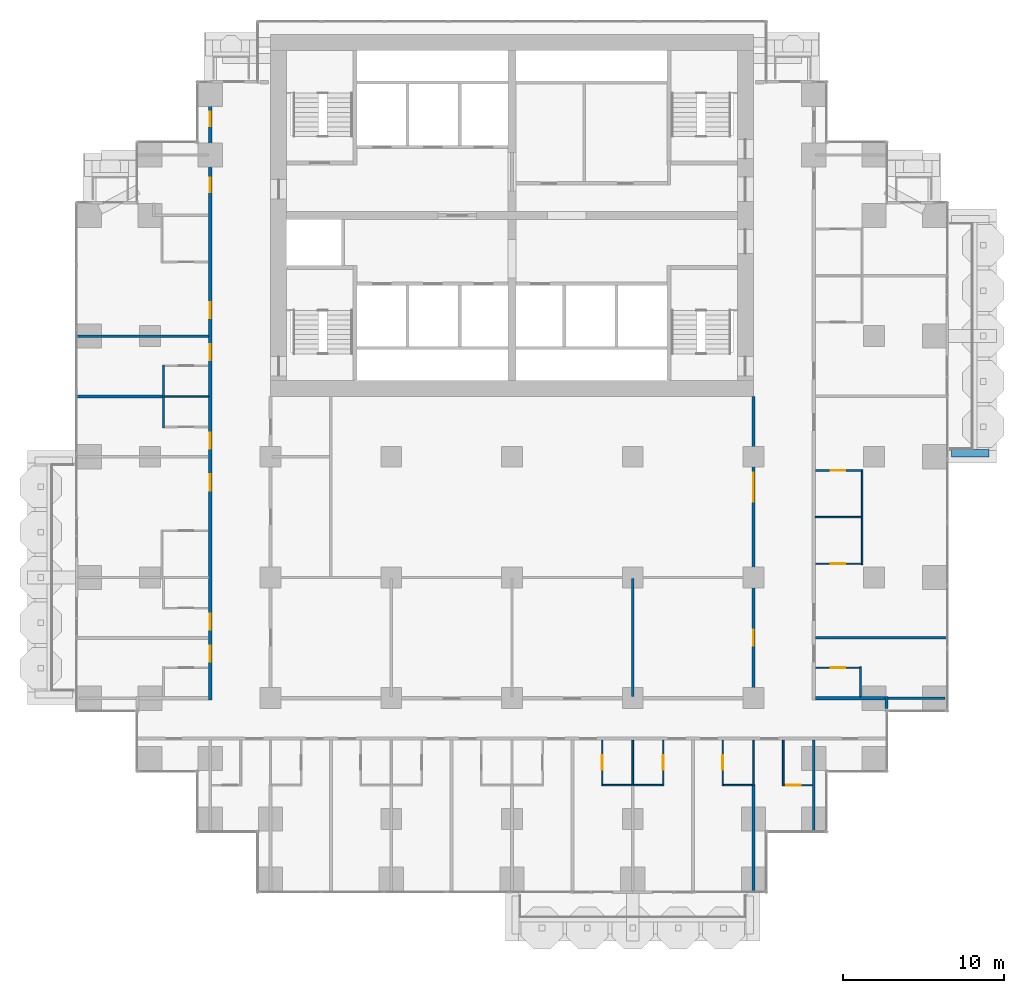
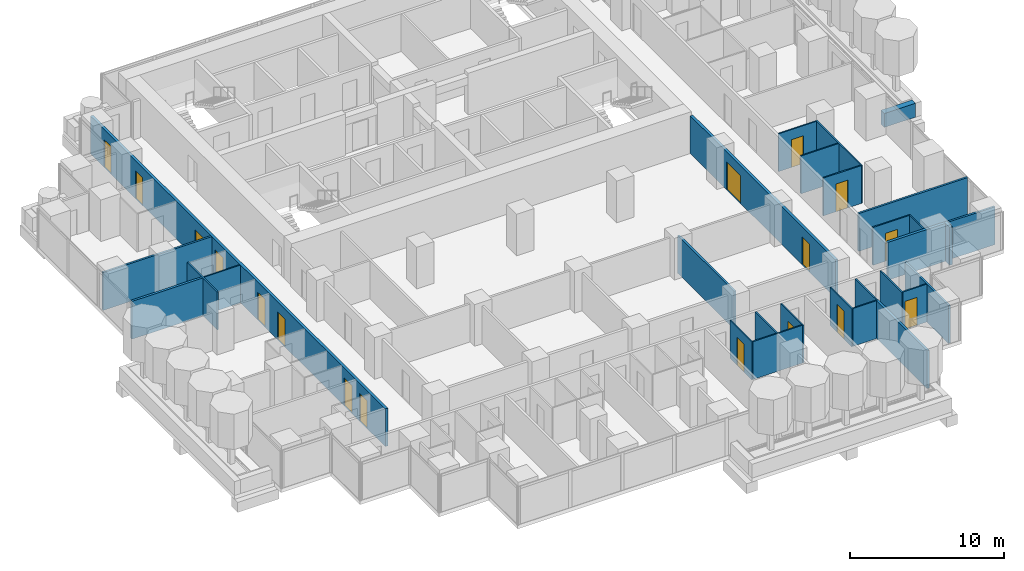
# One storey, part 13 of 19: 29 walls, 17 doors, 17 openings.
"""IFC4 building model written with IfcOpenShell, lengths in metres."""

from ifc_helpers import new_model, si_unit, direction, frame, frame_2d, origin, place, context, subcontext, project, spatial, rectangle, extrude, material, layer, layer_set, type_object, element, fill, save


model = new_model("IFC4")

# Units and contexts
model_context = context("Model", 3, precision=1e-05, world=origin(), true_north=direction((0.0, 1.0)))
body_context = subcontext(model_context, "Body", "Model", "MODEL_VIEW")
ifc_project = project(units=[si_unit("LENGTHUNIT", "METRE"), si_unit("AREAUNIT", "SQUARE_METRE"), si_unit("VOLUMEUNIT", "CUBIC_METRE"), si_unit("PLANEANGLEUNIT", "RADIAN"), si_unit("MASSUNIT", "GRAM", prefix="KILO")], contexts=[model_context])

# Site, building, storey
site_placement = place(None, origin())
site = spatial("IfcSite", under=ifc_project, at=site_placement, CompositionType="ELEMENT")
building_placement = place(site_placement, origin())
building = spatial("IfcBuilding", under=site, at=building_placement, Name="Pilkhan Gate Tower", CompositionType="ELEMENT")
storey_placement = place(building_placement, frame((0.0, 0.0, 65.89990234375)))
storey = spatial("IfcBuildingStorey", under=building, at=storey_placement, Name="L14", CompositionType="ELEMENT", Elevation=65.89990234375)

# Walls
ifc_material_1 = material(Name="Dense blockwork", Category="masonry")
ifc_layer_1 = layer(ifc_material_1, 0.175048828125)
ifc_layer_set_1 = layer_set([ifc_layer_1], Name="Acoustic party wall PW175")
wall_type_1 = type_object("IfcWallType", Name="Acoustic party wall PW175", PredefinedType="PARTITIONING", material=ifc_layer_set_1)
wall_1_placement = place(storey_placement, frame((47.985107421875, 71.25, 0.0), z_axis=(0.0, 0.0, 1.0), x_axis=(1.0, 0.0, 0.0)))
element("IfcWall", 1, at=wall_1_placement, inside=storey, type_object=wall_type_1, Name="Partition L14", PredefinedType="PARTITIONING", context=body_context, shape_type="SweptSolid", body=[
    extrude(rectangle(XDim=5.31494140625, YDim=0.175048828125, at=frame_2d((2.657470703125, 0.0))), origin(), (0.0, 0.0, 1.0), 3.0),
])
wall_2_placement = place(storey_placement, frame((90.0, 40.485107421875, 0.0), z_axis=(0.0, 0.0, 1.0), x_axis=(0.0, 1.0, 0.0)))
element("IfcWall", 2, at=wall_2_placement, inside=storey, type_object=wall_type_1, Name="Partition L14", PredefinedType="PARTITIONING", context=body_context, shape_type="SweptSolid", body=[
    extrude(rectangle(XDim=6.664794921875, YDim=0.175048828125, at=frame_2d((3.33251953125, 0.0))), origin(), (0.0, 0.0, 1.0), 3.0),
])
ifc_material_2 = material(Name="Board-marked Concrete C40/50", Category="concrete")
ifc_layer_2 = layer(ifc_material_2, 0.449951171875)
ifc_layer_set_2 = layer_set([ifc_layer_2], Name="Balcony planter lip BL450")
wall_type_2 = type_object("IfcWallType", Name="Balcony planter lip BL450", PredefinedType="USERDEFINED", material=ifc_layer_set_2)
wall_3_placement = place(storey_placement, frame((102.300048828125, 67.72509765625, 0.0), z_axis=(0.0, 0.0, 1.0), x_axis=(1.0, 0.0, 0.0)))
element("IfcWall", 3, at=wall_3_placement, inside=storey, type_object=wall_type_2, Name="Balcony planter L14 E", ObjectType="BALCONY PLANTER", PredefinedType="USERDEFINED", context=body_context, shape_type="SweptSolid", body=[
    extrude(rectangle(XDim=2.349853515625, YDim=0.449951171875, at=frame_2d((1.1748046875, 0.0))), origin(), (0.0, 0.0, 1.0), 1.10009765625),
])
ifc_layer_3 = layer(ifc_material_1, 0.199951171875)
ifc_layer_set_3 = layer_set([ifc_layer_3], Name="Corridor wall FW200")
wall_type_3 = type_object("IfcWallType", Name="Corridor wall FW200", PredefinedType="PARTITIONING", material=ifc_layer_set_3)
wall_4_placement = place(storey_placement, frame((93.85009765625, 52.5, 0.0), z_axis=(0.0, 0.0, 1.0), x_axis=(1.0, 0.0, 0.0)))
element("IfcWall", 4, at=wall_4_placement, inside=storey, type_object=wall_type_3, Name="Partition L14", PredefinedType="PARTITIONING", context=body_context, shape_type="SweptSolid", body=[
    extrude(rectangle(XDim=4.31494140625, YDim=0.199951171875, at=frame_2d((2.157470703125, 0.0))), origin(), (0.0, 0.0, 1.0), 3.0),
])

# Wall, openings, doors
wall_5_placement = place(storey_placement, frame((56.25, 52.39990234375, 0.0), z_axis=(0.0, 0.0, 1.0), x_axis=(0.0, 1.0, 0.0)))
wall_5 = element("IfcWall", 5, at=wall_5_placement, inside=storey, type_object=wall_type_3, Name="Partition L14", PredefinedType="PARTITIONING", context=body_context, shape_type="SweptSolid", body=[
    extrude(rectangle(XDim=38.31005859375, YDim=0.199951171875, at=frame_2d((19.155029296875, 0.0))), origin(), (0.0, 0.0, 1.0), 3.0),
])
opening_1_placement = place(wall_5_placement, frame((2.35009765625, 0.0, 0.0)))
opening_1 = element("IfcOpeningElement", 6, at=opening_1_placement, cuts=wall_5, Name="Opening L14-26", PredefinedType="OPENING", context=body_context, shape_type="SweptSolid", body=[
    extrude(rectangle(XDim=1.0, YDim=2.199951171875, at=frame_2d((0.5, 1.10009765625))), frame((0.0, 0.10986328125, 0.0), z_axis=(0.0, -1.0, 0.0), x_axis=(1.0, 0.0, 0.0)), (0.0, 0.0, 1.0), 0.219970703125),
])
opening_2_placement = place(wall_5_placement, frame((4.35009765625, 0.0, 0.0)))
opening_2 = element("IfcOpeningElement", 7, at=opening_2_placement, cuts=wall_5, Name="Opening L14-28", PredefinedType="OPENING", context=body_context, shape_type="SweptSolid", body=[
    extrude(rectangle(XDim=1.0, YDim=2.199951171875, at=frame_2d((0.5, 1.10009765625))), frame((0.0, 0.10986328125, 0.0), z_axis=(0.0, -1.0, 0.0), x_axis=(1.0, 0.0, 0.0)), (0.0, 0.0, 1.0), 0.219970703125),
])
opening_3_placement = place(wall_5_placement, frame((13.0, 0.0, 0.0)))
opening_3 = element("IfcOpeningElement", 8, at=opening_3_placement, cuts=wall_5, Name="Opening L14-30", PredefinedType="OPENING", context=body_context, shape_type="SweptSolid", body=[
    extrude(rectangle(XDim=1.0, YDim=2.199951171875, at=frame_2d((0.5, 1.10009765625))), frame((0.0, 0.10986328125, 0.0), z_axis=(0.0, -1.0, 0.0), x_axis=(1.0, 0.0, 0.0)), (0.0, 0.0, 1.0), 0.219970703125),
])
opening_4_placement = place(wall_5_placement, frame((15.60009765625, 0.0, 0.0)))
opening_4 = element("IfcOpeningElement", 9, at=opening_4_placement, cuts=wall_5, Name="Opening L14-32", PredefinedType="OPENING", context=body_context, shape_type="SweptSolid", body=[
    extrude(rectangle(XDim=1.0, YDim=2.199951171875, at=frame_2d((0.5, 1.10009765625))), frame((0.0, 0.10986328125, 0.0), z_axis=(0.0, -1.0, 0.0), x_axis=(1.0, 0.0, 0.0)), (0.0, 0.0, 1.0), 0.219970703125),
])
opening_5_placement = place(wall_5_placement, frame((21.10009765625, 0.0, 0.0)))
opening_5 = element("IfcOpeningElement", 10, at=opening_5_placement, cuts=wall_5, Name="Opening L14-34", PredefinedType="OPENING", context=body_context, shape_type="SweptSolid", body=[
    extrude(rectangle(XDim=1.0, YDim=2.199951171875, at=frame_2d((0.5, 1.10009765625))), frame((0.0, 0.10986328125, 0.0), z_axis=(0.0, -1.0, 0.0), x_axis=(1.0, 0.0, 0.0)), (0.0, 0.0, 1.0), 0.219970703125),
])
opening_6_placement = place(wall_5_placement, frame((23.699951171875, 0.0, 0.0)))
opening_6 = element("IfcOpeningElement", 11, at=opening_6_placement, cuts=wall_5, Name="Opening L14-36", PredefinedType="OPENING", context=body_context, shape_type="SweptSolid", body=[
    extrude(rectangle(XDim=1.0, YDim=2.199951171875, at=frame_2d((0.5, 1.10009765625))), frame((0.0, 0.10986328125, 0.0), z_axis=(0.0, -1.0, 0.0), x_axis=(1.0, 0.0, 0.0)), (0.0, 0.0, 1.0), 0.219970703125),
])
opening_7_placement = place(wall_5_placement, frame((31.550048828125, 0.0, 0.0)))
opening_7 = element("IfcOpeningElement", 12, at=opening_7_placement, cuts=wall_5, Name="Opening L14-55", PredefinedType="OPENING", context=body_context, shape_type="SweptSolid", body=[
    extrude(rectangle(XDim=0.89990234375, YDim=2.199951171875, at=frame_2d((0.449951171875, 1.10009765625))), frame((0.0, 0.10986328125, 0.0), z_axis=(0.0, -1.0, 0.0), x_axis=(1.0, 0.0, 0.0)), (0.0, 0.0, 1.0), 0.219970703125),
])
opening_8_placement = place(wall_5_placement, frame((35.64990234375, 0.0, 0.0)))
opening_8 = element("IfcOpeningElement", 13, at=opening_8_placement, cuts=wall_5, Name="Opening L14-56", PredefinedType="OPENING", context=body_context, shape_type="SweptSolid", body=[
    extrude(rectangle(XDim=0.89990234375, YDim=2.199951171875, at=frame_2d((0.449951171875, 1.10009765625))), frame((0.0, 0.10986328125, 0.0), z_axis=(0.0, -1.0, 0.0), x_axis=(1.0, 0.0, 0.0)), (0.0, 0.0, 1.0), 0.219970703125),
])
ifc_material_3 = material(Name="Timber flush door, 30 minute fire resisting", Category="wood")
door_type_1 = type_object("IfcDoorType", Name="Guest room door D01 1000x2200", OperationType="SINGLE_SWING_LEFT", PredefinedType="DOOR", material=ifc_material_3)
door_1_placement = place(opening_1_placement, origin())
door_1 = element("IfcDoor", 14, at=door_1_placement, inside=storey, type_object=door_type_1, Name="Guest room door", OperationType="SINGLE_SWING_LEFT", OverallHeight=2.199951171875, OverallWidth=1.0, PredefinedType="DOOR", context=body_context, shape_type="SweptSolid", body=[
    extrude(rectangle(XDim=1.0, YDim=2.199951171875, at=frame_2d((0.5, 1.10009765625))), frame((0.0, 0.02490234375, 0.0), z_axis=(0.0, -1.0, 0.0), x_axis=(1.0, 0.0, 0.0)), (0.0, 0.0, 1.0), 0.050048828125),
])
fill(opening_1, door_1)
door_2_placement = place(opening_2_placement, origin())
door_2 = element("IfcDoor", 15, at=door_2_placement, inside=storey, type_object=door_type_1, Name="Guest room door", OperationType="SINGLE_SWING_LEFT", OverallHeight=2.199951171875, OverallWidth=1.0, PredefinedType="DOOR", context=body_context, shape_type="SweptSolid", body=[
    extrude(rectangle(XDim=1.0, YDim=2.199951171875, at=frame_2d((0.5, 1.10009765625))), frame((0.0, 0.02490234375, 0.0), z_axis=(0.0, -1.0, 0.0), x_axis=(1.0, 0.0, 0.0)), (0.0, 0.0, 1.0), 0.050048828125),
])
fill(opening_2, door_2)
door_3_placement = place(opening_3_placement, origin())
door_3 = element("IfcDoor", 16, at=door_3_placement, inside=storey, type_object=door_type_1, Name="Guest room door", OperationType="SINGLE_SWING_RIGHT", OverallHeight=2.199951171875, OverallWidth=1.0, PredefinedType="DOOR", context=body_context, shape_type="SweptSolid", body=[
    extrude(rectangle(XDim=1.0, YDim=2.199951171875, at=frame_2d((0.5, 1.10009765625))), frame((0.0, 0.02490234375, 0.0), z_axis=(0.0, -1.0, 0.0), x_axis=(1.0, 0.0, 0.0)), (0.0, 0.0, 1.0), 0.050048828125),
])
fill(opening_3, door_3)
door_4_placement = place(opening_4_placement, origin())
door_4 = element("IfcDoor", 17, at=door_4_placement, inside=storey, type_object=door_type_1, Name="Guest room door", OperationType="SINGLE_SWING_LEFT", OverallHeight=2.199951171875, OverallWidth=1.0, PredefinedType="DOOR", context=body_context, shape_type="SweptSolid", body=[
    extrude(rectangle(XDim=1.0, YDim=2.199951171875, at=frame_2d((0.5, 1.10009765625))), frame((0.0, 0.02490234375, 0.0), z_axis=(0.0, -1.0, 0.0), x_axis=(1.0, 0.0, 0.0)), (0.0, 0.0, 1.0), 0.050048828125),
])
fill(opening_4, door_4)
door_5_placement = place(opening_5_placement, origin())
door_5 = element("IfcDoor", 18, at=door_5_placement, inside=storey, type_object=door_type_1, Name="Guest room door", OperationType="SINGLE_SWING_RIGHT", OverallHeight=2.199951171875, OverallWidth=1.0, PredefinedType="DOOR", context=body_context, shape_type="SweptSolid", body=[
    extrude(rectangle(XDim=1.0, YDim=2.199951171875, at=frame_2d((0.5, 1.10009765625))), frame((0.0, 0.02490234375, 0.0), z_axis=(0.0, -1.0, 0.0), x_axis=(1.0, 0.0, 0.0)), (0.0, 0.0, 1.0), 0.050048828125),
])
fill(opening_5, door_5)
door_6_placement = place(opening_6_placement, origin())
door_6 = element("IfcDoor", 19, at=door_6_placement, inside=storey, type_object=door_type_1, Name="Guest room door", OperationType="SINGLE_SWING_RIGHT", OverallHeight=2.199951171875, OverallWidth=1.0, PredefinedType="DOOR", context=body_context, shape_type="SweptSolid", body=[
    extrude(rectangle(XDim=1.0, YDim=2.199951171875, at=frame_2d((0.5, 1.10009765625))), frame((0.0, 0.02490234375, 0.0), z_axis=(0.0, -1.0, 0.0), x_axis=(1.0, 0.0, 0.0)), (0.0, 0.0, 1.0), 0.050048828125),
])
fill(opening_6, door_6)
ifc_material_4 = material(Name="Timber flush door, 60 minute fire resisting, self-closing", Category="wood")
door_type_2 = type_object("IfcDoorType", Name="Store door D05 900x2200", OperationType="SINGLE_SWING_LEFT", PredefinedType="DOOR", material=ifc_material_4)
door_7_placement = place(opening_7_placement, origin())
door_7 = element("IfcDoor", 20, at=door_7_placement, inside=storey, type_object=door_type_2, Name="Store door", OperationType="SINGLE_SWING_LEFT", OverallHeight=2.199951171875, OverallWidth=0.89990234375, PredefinedType="DOOR", context=body_context, shape_type="SweptSolid", body=[
    extrude(rectangle(XDim=0.89990234375, YDim=2.199951171875, at=frame_2d((0.449951171875, 1.10009765625))), frame((0.0, 0.02490234375, 0.0), z_axis=(0.0, -1.0, 0.0), x_axis=(1.0, 0.0, 0.0)), (0.0, 0.0, 1.0), 0.050048828125),
])
fill(opening_7, door_7)
door_8_placement = place(opening_8_placement, origin())
door_8 = element("IfcDoor", 21, at=door_8_placement, inside=storey, type_object=door_type_2, Name="Store door", OperationType="SINGLE_SWING_LEFT", OverallHeight=2.199951171875, OverallWidth=0.89990234375, PredefinedType="DOOR", context=body_context, shape_type="SweptSolid", body=[
    extrude(rectangle(XDim=0.89990234375, YDim=2.199951171875, at=frame_2d((0.449951171875, 1.10009765625))), frame((0.0, 0.02490234375, 0.0), z_axis=(0.0, -1.0, 0.0), x_axis=(1.0, 0.0, 0.0)), (0.0, 0.0, 1.0), 0.050048828125),
])
fill(opening_8, door_8)

wall_6_placement = place(storey_placement, frame((90.0, 52.39990234375, 0.0), z_axis=(0.0, 0.0, 1.0), x_axis=(0.0, 1.0, 0.0)))
wall_6 = element("IfcWall", 22, at=wall_6_placement, inside=storey, type_object=wall_type_3, Name="Partition L14", PredefinedType="PARTITIONING", context=body_context, shape_type="SweptSolid", body=[
    extrude(rectangle(XDim=18.840087890625, YDim=0.199951171875, at=frame_2d((9.419921875, 0.0))), origin(), (0.0, 0.0, 1.0), 3.0),
])
opening_9_placement = place(wall_6_placement, frame((3.35009765625, 0.0, 0.0)))
opening_9 = element("IfcOpeningElement", 23, at=opening_9_placement, cuts=wall_6, Name="Opening L14-61", PredefinedType="OPENING", context=body_context, shape_type="SweptSolid", body=[
    extrude(rectangle(XDim=1.0, YDim=2.199951171875, at=frame_2d((0.5, 1.10009765625))), frame((0.0, 0.10986328125, 0.0), z_axis=(0.0, -1.0, 0.0), x_axis=(1.0, 0.0, 0.0)), (0.0, 0.0, 1.0), 0.219970703125),
])
opening_10_placement = place(wall_6_placement, frame((12.300048828125, 0.0, 0.0)))
opening_10 = element("IfcOpeningElement", 24, at=opening_10_placement, cuts=wall_6, Name="Opening L14-64", PredefinedType="OPENING", context=body_context, shape_type="SweptSolid", body=[
    extrude(rectangle(XDim=1.800048828125, YDim=2.199951171875, at=frame_2d((0.89990234375, 1.10009765625))), frame((0.0, 0.10986328125, 0.0), z_axis=(0.0, -1.0, 0.0), x_axis=(1.0, 0.0, 0.0)), (0.0, 0.0, 1.0), 0.219970703125),
])
ifc_material_5 = material(Name="Timber glazed double door, 30 minute fire resisting", Category="wood")
door_type_3 = type_object("IfcDoorType", Name="Double door D04 1800x2200", OperationType="DOUBLE_DOOR_SINGLE_SWING", PredefinedType="DOOR", material=ifc_material_5)
door_9_placement = place(opening_10_placement, origin())
door_9 = element("IfcDoor", 25, at=door_9_placement, inside=storey, type_object=door_type_3, Name="Double door", OperationType="DOUBLE_DOOR_SINGLE_SWING", OverallHeight=2.199951171875, OverallWidth=1.800048828125, PredefinedType="DOOR", context=body_context, shape_type="SweptSolid", body=[
    extrude(rectangle(XDim=1.800048828125, YDim=2.199951171875, at=frame_2d((0.89990234375, 1.10009765625))), frame((0.0, 0.02490234375, 0.0), z_axis=(0.0, -1.0, 0.0), x_axis=(1.0, 0.0, 0.0)), (0.0, 0.0, 1.0), 0.050048828125),
])
fill(opening_10, door_9)
door_type_4 = type_object("IfcDoorType", Name="Room door D03 1000x2200", OperationType="SINGLE_SWING_LEFT", PredefinedType="DOOR", material=ifc_material_3)
door_10_placement = place(opening_9_placement, origin())
door_10 = element("IfcDoor", 26, at=door_10_placement, inside=storey, type_object=door_type_4, Name="Room door", OperationType="SINGLE_SWING_RIGHT", OverallHeight=2.199951171875, OverallWidth=1.0, PredefinedType="DOOR", context=body_context, shape_type="SweptSolid", body=[
    extrude(rectangle(XDim=1.0, YDim=2.199951171875, at=frame_2d((0.5, 1.10009765625))), frame((0.0, 0.02490234375, 0.0), z_axis=(0.0, -1.0, 0.0), x_axis=(1.0, 0.0, 0.0)), (0.0, 0.0, 1.0), 0.050048828125),
])
fill(opening_9, door_10)

# Walls
wall_7_placement = place(storey_placement, frame((98.264892578125, 51.85498046875, 0.0), z_axis=(0.0, 0.0, 1.0), x_axis=(0.0, 1.0, 0.0)))
element("IfcWall", 27, at=wall_7_placement, inside=storey, type_object=wall_type_3, Name="Partition L14", PredefinedType="PARTITIONING", context=body_context, shape_type="SweptSolid", body=[
    extrude(rectangle(XDim=0.7451171875, YDim=0.199951171875, at=frame_2d((0.37255859375, 0.0))), origin(), (0.0, 0.0, 1.0), 3.0),
])
ifc_material_6 = material(Name="Blockwork partition, plastered both sides", Category="masonry")
ifc_layer_4 = layer(ifc_material_6, 0.14990234375)
ifc_layer_set_4 = layer_set([ifc_layer_4], Name="Partition PW150")
wall_type_4 = type_object("IfcWallType", Name="Partition PW150", PredefinedType="PARTITIONING", material=ifc_layer_set_4)
wall_8_placement = place(storey_placement, frame((98.364990234375, 52.5, 0.0), z_axis=(0.0, 0.0, 1.0), x_axis=(1.0, 0.0, 0.0)))
element("IfcWall", 28, at=wall_8_placement, inside=storey, type_object=wall_type_4, Name="Partition L14", PredefinedType="PARTITIONING", context=body_context, shape_type="SweptSolid", body=[
    extrude(rectangle(XDim=3.530029296875, YDim=0.14990234375, at=frame_2d((1.76513671875, 0.0))), origin(), (0.0, 0.0, 1.0), 3.0),
])
for number, where, z_axis, x_axis, name in (
    (29, (93.85009765625, 56.25, 0.0), (0.0, 0.0, 1.0), (1.0, 0.0, 0.0), "Partition L14"),
    (30, (47.985107421875, 75.0, 0.0), (0.0, 0.0, 1.0), (1.0, 0.0, 0.0), "Partition L14"),
):
    element("IfcWall", number, at=place(storey_placement, frame(where, z_axis=z_axis, x_axis=x_axis)), inside=storey, type_object=wall_type_4, Name=name, PredefinedType="PARTITIONING", context=body_context, shape_type="SweptSolid", body=[
        extrude(rectangle(XDim=8.164794921875, YDim=0.14990234375, at=frame_2d((4.08251953125, 0.0))), origin(), (0.0, 0.0, 1.0), 3.0),
    ])
wall_9_placement = place(storey_placement, frame((82.5, 52.60009765625, 0.0), z_axis=(0.0, 0.0, 1.0), x_axis=(0.0, 1.0, 0.0)))
element("IfcWall", 31, at=wall_9_placement, inside=storey, type_object=wall_type_4, Name="Partition L14", PredefinedType="PARTITIONING", context=body_context, shape_type="SweptSolid", body=[
    extrude(rectangle(XDim=7.324951171875, YDim=0.14990234375, at=frame_2d((3.66259765625, 0.0))), origin(), (0.0, 0.0, 1.0), 3.0),
])
wall_10_placement = place(storey_placement, frame((93.75, 44.235107421875, 0.0), z_axis=(0.0, 0.0, 1.0), x_axis=(0.0, 1.0, 0.0)))
element("IfcWall", 32, at=wall_10_placement, inside=storey, type_object=wall_type_4, Name="Partition L14", PredefinedType="PARTITIONING", context=body_context, shape_type="SweptSolid", body=[
    extrude(rectangle(XDim=5.664794921875, YDim=0.14990234375, at=frame_2d((2.83251953125, 0.0))), origin(), (0.0, 0.0, 1.0), 3.0),
])
ifc_material_7 = material(Name="Moisture resistant board, tiled")
ifc_layer_5 = layer(ifc_material_7, 0.10009765625)
ifc_layer_set_5 = layer_set([ifc_layer_5], Name="Wet wall PW100")
wall_type_5 = type_object("IfcWallType", Name="Wet wall PW100", PredefinedType="PARTITIONING", material=ifc_layer_set_5)
wall_11_placement = place(storey_placement, frame((80.64990234375, 47.10009765625, 0.0), z_axis=(0.0, 0.0, 1.0), x_axis=(1.0, 0.0, 0.0)))
element("IfcWall", 33, at=wall_11_placement, inside=storey, type_object=wall_type_5, Name="Partition L14", PredefinedType="PARTITIONING", context=body_context, shape_type="SweptSolid", body=[
    extrude(rectangle(XDim=3.7001953125, YDim=0.10009765625, at=frame_2d((1.85009765625, 0.0))), origin(), (0.0, 0.0, 1.0), 3.0),
])
wall_12_placement = place(storey_placement, frame((88.14990234375, 47.10009765625, 0.0), z_axis=(0.0, 0.0, 1.0), x_axis=(1.0, 0.0, 0.0)))
element("IfcWall", 34, at=wall_12_placement, inside=storey, type_object=wall_type_5, Name="Partition L14", PredefinedType="PARTITIONING", context=body_context, shape_type="SweptSolid", body=[
    extrude(rectangle(XDim=1.76220703125, YDim=0.10009765625, at=frame_2d((0.881103515625, 0.0))), origin(), (0.0, 0.0, 1.0), 3.0),
])

# Wall, opening, door
wall_13_placement = place(storey_placement, frame((91.89990234375, 47.10009765625, 0.0), z_axis=(0.0, 0.0, 1.0), x_axis=(1.0, 0.0, 0.0)))
wall_13 = element("IfcWall", 35, at=wall_13_placement, inside=storey, type_object=wall_type_5, Name="Partition L14", PredefinedType="PARTITIONING", context=body_context, shape_type="SweptSolid", body=[
    extrude(rectangle(XDim=1.775146484375, YDim=0.10009765625, at=frame_2d((0.8876953125, 0.0))), origin(), (0.0, 0.0, 1.0), 3.0),
])
opening_11_placement = place(wall_13_placement, frame((0.14990234375, 0.0, 0.0)))
opening_11 = element("IfcOpeningElement", 36, at=opening_11_placement, cuts=wall_13, Name="Opening L14-25", PredefinedType="OPENING", context=body_context, shape_type="SweptSolid", body=[
    extrude(rectangle(XDim=0.89990234375, YDim=2.199951171875, at=frame_2d((0.449951171875, 1.10009765625))), frame((0.0, 0.06005859375, 0.0), z_axis=(0.0, -1.0, 0.0), x_axis=(1.0, 0.0, 0.0)), (0.0, 0.0, 1.0), 0.1201171875),
])
ifc_material_8 = material(Name="Timber flush door", Category="wood")
door_type_5 = type_object("IfcDoorType", Name="Bathroom door D02 900x2200", OperationType="SINGLE_SWING_RIGHT", PredefinedType="DOOR", material=ifc_material_8)
door_11_placement = place(opening_11_placement, origin())
door_11 = element("IfcDoor", 37, at=door_11_placement, inside=storey, type_object=door_type_5, Name="Bathroom door", OperationType="SINGLE_SWING_RIGHT", OverallHeight=2.199951171875, OverallWidth=0.89990234375, PredefinedType="DOOR", context=body_context, shape_type="SweptSolid", body=[
    extrude(rectangle(XDim=0.89990234375, YDim=2.199951171875, at=frame_2d((0.449951171875, 1.10009765625))), frame((0.0, 0.02490234375, 0.0), z_axis=(0.0, -1.0, 0.0), x_axis=(1.0, 0.0, 0.0)), (0.0, 0.0, 1.0), 0.050048828125),
])
fill(opening_11, door_11)

wall_14_placement = place(storey_placement, frame((93.85009765625, 54.39990234375, 0.0), z_axis=(0.0, 0.0, 1.0), x_axis=(1.0, 0.0, 0.0)))
wall_14 = element("IfcWall", 38, at=wall_14_placement, inside=storey, type_object=wall_type_5, Name="Partition L14", PredefinedType="PARTITIONING", context=body_context, shape_type="SweptSolid", body=[
    extrude(rectangle(XDim=2.75, YDim=0.10009765625, at=frame_2d((1.375, 0.0))), origin(), (0.0, 0.0, 1.0), 3.0),
])
opening_12_placement = place(wall_14_placement, frame((0.949951171875, 0.0, 0.0)))
opening_12 = element("IfcOpeningElement", 39, at=opening_12_placement, cuts=wall_14, Name="Opening L14-39", PredefinedType="OPENING", context=body_context, shape_type="SweptSolid", body=[
    extrude(rectangle(XDim=0.89990234375, YDim=2.199951171875, at=frame_2d((0.449951171875, 1.10009765625))), frame((0.0, 0.06005859375, 0.0), z_axis=(0.0, -1.0, 0.0), x_axis=(1.0, 0.0, 0.0)), (0.0, 0.0, 1.0), 0.1201171875),
])
door_12_placement = place(opening_12_placement, origin())
door_12 = element("IfcDoor", 40, at=door_12_placement, inside=storey, type_object=door_type_5, Name="Bathroom door", OperationType="SINGLE_SWING_RIGHT", OverallHeight=2.199951171875, OverallWidth=0.89990234375, PredefinedType="DOOR", context=body_context, shape_type="SweptSolid", body=[
    extrude(rectangle(XDim=0.89990234375, YDim=2.199951171875, at=frame_2d((0.449951171875, 1.10009765625))), frame((0.0, 0.02490234375, 0.0), z_axis=(0.0, -1.0, 0.0), x_axis=(1.0, 0.0, 0.0)), (0.0, 0.0, 1.0), 0.050048828125),
])
fill(opening_12, door_12)

wall_15_placement = place(storey_placement, frame((93.85009765625, 60.85009765625, 0.0), z_axis=(0.0, 0.0, 1.0), x_axis=(1.0, 0.0, 0.0)))
wall_15 = element("IfcWall", 41, at=wall_15_placement, inside=storey, type_object=wall_type_5, Name="Partition L14", PredefinedType="PARTITIONING", context=body_context, shape_type="SweptSolid", body=[
    extrude(rectangle(XDim=2.849853515625, YDim=0.10009765625, at=frame_2d((1.4248046875, 0.0))), origin(), (0.0, 0.0, 1.0), 3.0),
])
opening_13_placement = place(wall_15_placement, frame((0.949951171875, 0.0, 0.0)))
opening_13 = element("IfcOpeningElement", 42, at=opening_13_placement, cuts=wall_15, Name="Opening L14-41", PredefinedType="OPENING", context=body_context, shape_type="SweptSolid", body=[
    extrude(rectangle(XDim=0.89990234375, YDim=2.199951171875, at=frame_2d((0.449951171875, 1.10009765625))), frame((0.0, 0.06005859375, 0.0), z_axis=(0.0, -1.0, 0.0), x_axis=(1.0, 0.0, 0.0)), (0.0, 0.0, 1.0), 0.1201171875),
])
door_13_placement = place(opening_13_placement, origin())
door_13 = element("IfcDoor", 43, at=door_13_placement, inside=storey, type_object=door_type_5, Name="Bathroom door", OperationType="SINGLE_SWING_RIGHT", OverallHeight=2.199951171875, OverallWidth=0.89990234375, PredefinedType="DOOR", context=body_context, shape_type="SweptSolid", body=[
    extrude(rectangle(XDim=0.89990234375, YDim=2.199951171875, at=frame_2d((0.449951171875, 1.10009765625))), frame((0.0, 0.02490234375, 0.0), z_axis=(0.0, -1.0, 0.0), x_axis=(1.0, 0.0, 0.0)), (0.0, 0.0, 1.0), 0.050048828125),
])
fill(opening_13, door_13)

# Wall
wall_16_placement = place(storey_placement, frame((93.85009765625, 63.75, 0.0), z_axis=(0.0, 0.0, 1.0), x_axis=(1.0, 0.0, 0.0)))
element("IfcWall", 44, at=wall_16_placement, inside=storey, type_object=wall_type_5, Name="Partition L14", PredefinedType="PARTITIONING", context=body_context, shape_type="SweptSolid", body=[
    extrude(rectangle(XDim=2.849853515625, YDim=0.10009765625, at=frame_2d((1.4248046875, 0.0))), origin(), (0.0, 0.0, 1.0), 3.0),
])

# Wall, opening, door
wall_17_placement = place(storey_placement, frame((93.85009765625, 66.64990234375, 0.0), z_axis=(0.0, 0.0, 1.0), x_axis=(1.0, 0.0, 0.0)))
wall_17 = element("IfcWall", 45, at=wall_17_placement, inside=storey, type_object=wall_type_5, Name="Partition L14", PredefinedType="PARTITIONING", context=body_context, shape_type="SweptSolid", body=[
    extrude(rectangle(XDim=2.849853515625, YDim=0.10009765625, at=frame_2d((1.4248046875, 0.0))), origin(), (0.0, 0.0, 1.0), 3.0),
])
opening_14_placement = place(wall_17_placement, frame((0.949951171875, 0.0, 0.0)))
opening_14 = element("IfcOpeningElement", 46, at=opening_14_placement, cuts=wall_17, Name="Opening L14-43", PredefinedType="OPENING", context=body_context, shape_type="SweptSolid", body=[
    extrude(rectangle(XDim=0.89990234375, YDim=2.199951171875, at=frame_2d((0.449951171875, 1.10009765625))), frame((0.0, 0.06005859375, 0.0), z_axis=(0.0, -1.0, 0.0), x_axis=(1.0, 0.0, 0.0)), (0.0, 0.0, 1.0), 0.1201171875),
])
door_14_placement = place(opening_14_placement, origin())
door_14 = element("IfcDoor", 47, at=door_14_placement, inside=storey, type_object=door_type_5, Name="Bathroom door", OperationType="SINGLE_SWING_RIGHT", OverallHeight=2.199951171875, OverallWidth=0.89990234375, PredefinedType="DOOR", context=body_context, shape_type="SweptSolid", body=[
    extrude(rectangle(XDim=0.89990234375, YDim=2.199951171875, at=frame_2d((0.449951171875, 1.10009765625))), frame((0.0, 0.02490234375, 0.0), z_axis=(0.0, -1.0, 0.0), x_axis=(1.0, 0.0, 0.0)), (0.0, 0.0, 1.0), 0.050048828125),
])
fill(opening_14, door_14)

# Walls
wall_18_placement = place(storey_placement, frame((53.39990234375, 71.25, 0.0), z_axis=(0.0, 0.0, 1.0), x_axis=(1.0, 0.0, 0.0)))
element("IfcWall", 48, at=wall_18_placement, inside=storey, type_object=wall_type_5, Name="Partition L14", PredefinedType="PARTITIONING", context=body_context, shape_type="SweptSolid", body=[
    extrude(rectangle(XDim=2.75, YDim=0.10009765625, at=frame_2d((1.375, 0.0))), origin(), (0.0, 0.0, 1.0), 3.0),
])
wall_19_placement = place(storey_placement, frame((53.35009765625, 69.300048828125, 0.0), z_axis=(0.0, 0.0, 1.0), x_axis=(0.0, 1.0, 0.0)))
element("IfcWall", 49, at=wall_19_placement, inside=storey, type_object=wall_type_5, Name="Partition L14", PredefinedType="PARTITIONING", context=body_context, shape_type="SweptSolid", body=[
    extrude(rectangle(XDim=3.89990234375, YDim=0.10009765625, at=frame_2d((1.949951171875, 0.0))), origin(), (0.0, 0.0, 1.0), 3.0),
])

# Wall, opening, door
wall_20_placement = place(storey_placement, frame((80.60009765625, 47.050048828125, 0.0), z_axis=(0.0, 0.0, 1.0), x_axis=(0.0, 1.0, 0.0)))
wall_20 = element("IfcWall", 50, at=wall_20_placement, inside=storey, type_object=wall_type_5, Name="Partition L14", PredefinedType="PARTITIONING", context=body_context, shape_type="SweptSolid", body=[
    extrude(rectangle(XDim=2.849853515625, YDim=0.10009765625, at=frame_2d((1.4248046875, 0.0))), origin(), (0.0, 0.0, 1.0), 3.0),
])
opening_15_placement = place(wall_20_placement, frame((1.0, 0.0, 0.0)))
opening_15 = element("IfcOpeningElement", 51, at=opening_15_placement, cuts=wall_20, Name="Opening L14-19", PredefinedType="OPENING", context=body_context, shape_type="SweptSolid", body=[
    extrude(rectangle(XDim=0.89990234375, YDim=2.199951171875, at=frame_2d((0.449951171875, 1.10009765625))), frame((0.0, 0.06005859375, 0.0), z_axis=(0.0, -1.0, 0.0), x_axis=(1.0, 0.0, 0.0)), (0.0, 0.0, 1.0), 0.1201171875),
])
door_15_placement = place(opening_15_placement, origin())
door_15 = element("IfcDoor", 52, at=door_15_placement, inside=storey, type_object=door_type_5, Name="Bathroom door", OperationType="SINGLE_SWING_RIGHT", OverallHeight=2.199951171875, OverallWidth=0.89990234375, PredefinedType="DOOR", context=body_context, shape_type="SweptSolid", body=[
    extrude(rectangle(XDim=0.89990234375, YDim=2.199951171875, at=frame_2d((0.449951171875, 1.10009765625))), frame((0.0, 0.02490234375, 0.0), z_axis=(0.0, -1.0, 0.0), x_axis=(1.0, 0.0, 0.0)), (0.0, 0.0, 1.0), 0.050048828125),
])
fill(opening_15, door_15)

# Wall
wall_21_placement = place(storey_placement, frame((82.5, 47.14990234375, 0.0), z_axis=(0.0, 0.0, 1.0), x_axis=(0.0, 1.0, 0.0)))
element("IfcWall", 53, at=wall_21_placement, inside=storey, type_object=wall_type_5, Name="Partition L14", PredefinedType="PARTITIONING", context=body_context, shape_type="SweptSolid", body=[
    extrude(rectangle(XDim=2.75, YDim=0.10009765625, at=frame_2d((1.375, 0.0))), origin(), (0.0, 0.0, 1.0), 3.0),
])

# Wall, opening, door
wall_22_placement = place(storey_placement, frame((84.39990234375, 47.050048828125, 0.0), z_axis=(0.0, 0.0, 1.0), x_axis=(0.0, 1.0, 0.0)))
wall_22 = element("IfcWall", 54, at=wall_22_placement, inside=storey, type_object=wall_type_5, Name="Partition L14", PredefinedType="PARTITIONING", context=body_context, shape_type="SweptSolid", body=[
    extrude(rectangle(XDim=2.849853515625, YDim=0.10009765625, at=frame_2d((1.4248046875, 0.0))), origin(), (0.0, 0.0, 1.0), 3.0),
])
opening_16_placement = place(wall_22_placement, frame((1.0, 0.0, 0.0)))
opening_16 = element("IfcOpeningElement", 55, at=opening_16_placement, cuts=wall_22, Name="Opening L14-21", PredefinedType="OPENING", context=body_context, shape_type="SweptSolid", body=[
    extrude(rectangle(XDim=0.89990234375, YDim=2.199951171875, at=frame_2d((0.449951171875, 1.10009765625))), frame((0.0, 0.06005859375, 0.0), z_axis=(0.0, -1.0, 0.0), x_axis=(1.0, 0.0, 0.0)), (0.0, 0.0, 1.0), 0.1201171875),
])
door_16_placement = place(opening_16_placement, origin())
door_16 = element("IfcDoor", 56, at=door_16_placement, inside=storey, type_object=door_type_5, Name="Bathroom door", OperationType="SINGLE_SWING_RIGHT", OverallHeight=2.199951171875, OverallWidth=0.89990234375, PredefinedType="DOOR", context=body_context, shape_type="SweptSolid", body=[
    extrude(rectangle(XDim=0.89990234375, YDim=2.199951171875, at=frame_2d((0.449951171875, 1.10009765625))), frame((0.0, 0.02490234375, 0.0), z_axis=(0.0, -1.0, 0.0), x_axis=(1.0, 0.0, 0.0)), (0.0, 0.0, 1.0), 0.050048828125),
])
fill(opening_16, door_16)

wall_23_placement = place(storey_placement, frame((88.10009765625, 47.050048828125, 0.0), z_axis=(0.0, 0.0, 1.0), x_axis=(0.0, 1.0, 0.0)))
wall_23 = element("IfcWall", 57, at=wall_23_placement, inside=storey, type_object=wall_type_5, Name="Partition L14", PredefinedType="PARTITIONING", context=body_context, shape_type="SweptSolid", body=[
    extrude(rectangle(XDim=2.849853515625, YDim=0.10009765625, at=frame_2d((1.4248046875, 0.0))), origin(), (0.0, 0.0, 1.0), 3.0),
])
opening_17_placement = place(wall_23_placement, frame((1.0, 0.0, 0.0)))
opening_17 = element("IfcOpeningElement", 58, at=opening_17_placement, cuts=wall_23, Name="Opening L14-23", PredefinedType="OPENING", context=body_context, shape_type="SweptSolid", body=[
    extrude(rectangle(XDim=0.89990234375, YDim=2.199951171875, at=frame_2d((0.449951171875, 1.10009765625))), frame((0.0, 0.06005859375, 0.0), z_axis=(0.0, -1.0, 0.0), x_axis=(1.0, 0.0, 0.0)), (0.0, 0.0, 1.0), 0.1201171875),
])
door_17_placement = place(opening_17_placement, origin())
door_17 = element("IfcDoor", 59, at=door_17_placement, inside=storey, type_object=door_type_5, Name="Bathroom door", OperationType="SINGLE_SWING_RIGHT", OverallHeight=2.199951171875, OverallWidth=0.89990234375, PredefinedType="DOOR", context=body_context, shape_type="SweptSolid", body=[
    extrude(rectangle(XDim=0.89990234375, YDim=2.199951171875, at=frame_2d((0.449951171875, 1.10009765625))), frame((0.0, 0.02490234375, 0.0), z_axis=(0.0, -1.0, 0.0), x_axis=(1.0, 0.0, 0.0)), (0.0, 0.0, 1.0), 0.050048828125),
])
fill(opening_17, door_17)

# Walls
wall_24_placement = place(storey_placement, frame((90.0, 47.10009765625, 0.0), z_axis=(0.0, 0.0, 1.0), x_axis=(0.0, 1.0, 0.0)))
element("IfcWall", 60, at=wall_24_placement, inside=storey, type_object=wall_type_5, Name="Partition L14", PredefinedType="PARTITIONING", context=body_context, shape_type="SweptSolid", body=[
    extrude(rectangle(XDim=2.7998046875, YDim=0.10009765625, at=frame_2d((1.39990234375, 0.0))), origin(), (0.0, 0.0, 1.0), 3.0),
])
wall_25_placement = place(storey_placement, frame((91.85009765625, 47.050048828125, 0.0), z_axis=(0.0, 0.0, 1.0), x_axis=(0.0, 1.0, 0.0)))
element("IfcWall", 61, at=wall_25_placement, inside=storey, type_object=wall_type_5, Name="Partition L14", PredefinedType="PARTITIONING", context=body_context, shape_type="SweptSolid", body=[
    extrude(rectangle(XDim=2.849853515625, YDim=0.10009765625, at=frame_2d((1.4248046875, 0.0))), origin(), (0.0, 0.0, 1.0), 3.0),
])
wall_26_placement = place(storey_placement, frame((96.64990234375, 52.60009765625, 0.0), z_axis=(0.0, 0.0, 1.0), x_axis=(0.0, 1.0, 0.0)))
element("IfcWall", 62, at=wall_26_placement, inside=storey, type_object=wall_type_5, Name="Partition L14", PredefinedType="PARTITIONING", context=body_context, shape_type="SweptSolid", body=[
    extrude(rectangle(XDim=1.849853515625, YDim=0.10009765625, at=frame_2d((0.9248046875, 0.0))), origin(), (0.0, 0.0, 1.0), 3.0),
])
wall_27_placement = place(storey_placement, frame((96.75, 60.800048828125, 0.0), z_axis=(0.0, 0.0, 1.0), x_axis=(0.0, 1.0, 0.0)))
element("IfcWall", 63, at=wall_27_placement, inside=storey, type_object=wall_type_5, Name="Partition L14", PredefinedType="PARTITIONING", context=body_context, shape_type="SweptSolid", body=[
    extrude(rectangle(XDim=5.89990234375, YDim=0.10009765625, at=frame_2d((2.949951171875, 0.0))), origin(), (0.0, 0.0, 1.0), 3.0),
])

save(model, "model.ifc")
